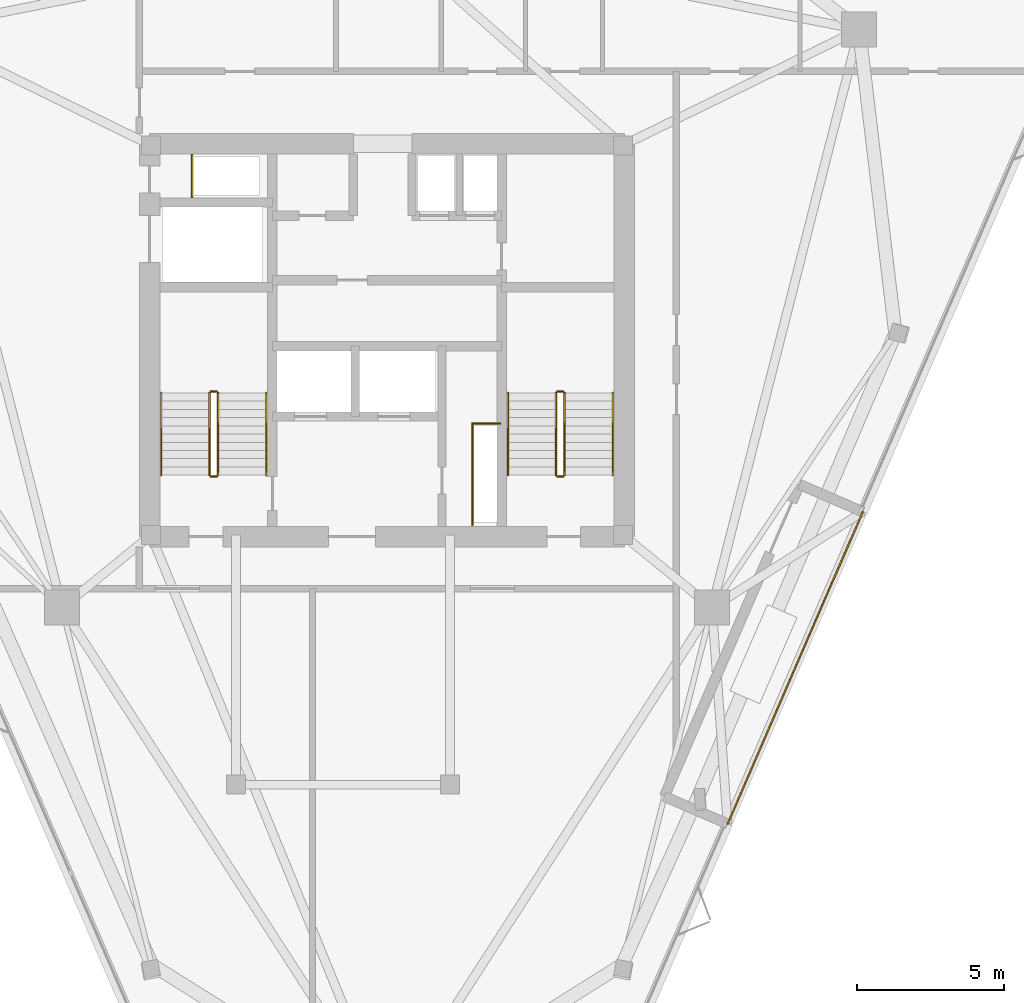
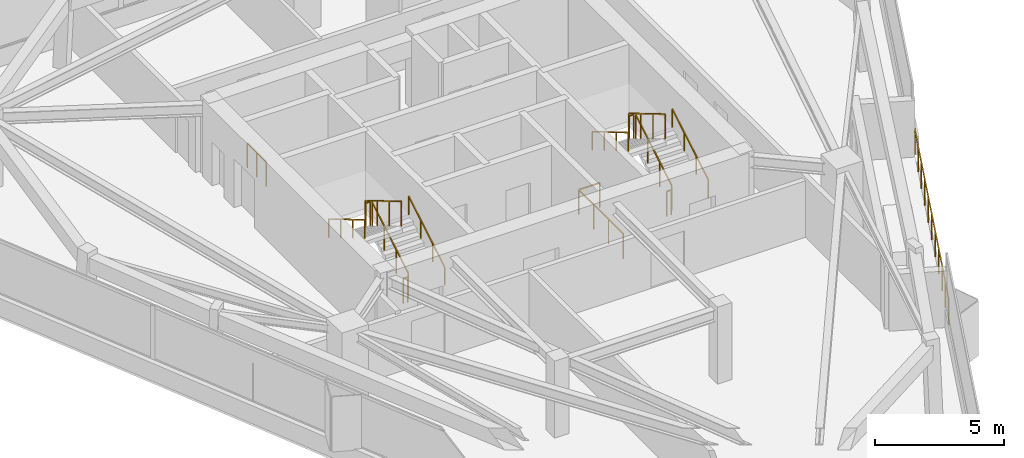
# One storey, part 10 of 10: 15 railings.
"""IFC4 building model written with IfcOpenShell, lengths in metres."""

from ifc_helpers import new_model, si_unit, direction, frame, origin, origin_2d, place, context, subcontext, project, spatial, rectangle, extrude, material, type_object, element, save


model = new_model("IFC4")

# Units and contexts
model_context = context("Model", 3, precision=1e-05, world=origin(), true_north=direction((0.0, 1.0)))
body_context = subcontext(model_context, "Body", "Model", "MODEL_VIEW")
ifc_project = project(units=[si_unit("LENGTHUNIT", "METRE"), si_unit("AREAUNIT", "SQUARE_METRE"), si_unit("VOLUMEUNIT", "CUBIC_METRE"), si_unit("PLANEANGLEUNIT", "RADIAN"), si_unit("MASSUNIT", "GRAM", prefix="KILO")], contexts=[model_context])

# Site, building, storey
site_placement = place(None, origin())
site = spatial("IfcSite", under=ifc_project, at=site_placement, CompositionType="ELEMENT")
building_placement = place(site_placement, origin())
building = spatial("IfcBuilding", under=site, at=building_placement, Name="Talyreon Biosciences Tower", CompositionType="ELEMENT")
storey_placement = place(building_placement, frame((0.0, 0.0, 253.5)))
storey = spatial("IfcBuildingStorey", under=building, at=storey_placement, Name="L67", CompositionType="ELEMENT", Elevation=253.5)

# Railings
ifc_material_1 = material(Name="Stainless-steel and laminated glass balustrade", Category="steel")
railing_type_1 = type_object("IfcRailingType", Name="SkyGardenGlassBalustrade_1250", PredefinedType="GUARDRAIL", material=ifc_material_1)
railing_1_placement = place(storey_placement, frame((82.22900390625, 62.148193359375, 0.0)))
element("IfcRailing", 1, at=railing_1_placement, inside=storey, type_object=railing_type_1, Name="L67 Terrace Edge Balustrade 03", PredefinedType="GUARDRAIL", context=body_context, shape_type="SweptSolid", body=[
    extrude(rectangle(XDim=0.048095703125, YDim=0.048095703125, at=origin_2d()), frame((0.0, 0.0, 1.22607421875), z_axis=(-0.397535967154, -0.917586592545, 0.0), x_axis=(0.917586592545, -0.397535967154, 0.0)), (0.0, 0.0, 1.0), 11.599853515625),
    extrude(rectangle(XDim=0.0419921875, YDim=0.0419921875, at=origin_2d()), origin(), (0.0, 0.0, 1.0), 1.201904296875),
    extrude(rectangle(XDim=0.0419921875, YDim=0.0419921875, at=origin_2d()), frame((-0.461181640625, -1.064453125, 0.0)), (0.0, 0.0, 1.0), 1.201904296875),
    extrude(rectangle(XDim=0.0419921875, YDim=0.0419921875, at=origin_2d()), frame((-0.92236328125, -2.128662109375, 0.0)), (0.0, 0.0, 1.0), 1.201904296875),
    extrude(rectangle(XDim=0.0419921875, YDim=0.0419921875, at=origin_2d()), frame((-1.38330078125, -3.193115234375, 0.0)), (0.0, 0.0, 1.0), 1.201904296875),
    extrude(rectangle(XDim=0.0419921875, YDim=0.0419921875, at=origin_2d()), frame((-1.844482421875, -4.257568359375, 0.0)), (0.0, 0.0, 1.0), 1.201904296875),
    extrude(rectangle(XDim=0.0419921875, YDim=0.0419921875, at=origin_2d()), frame((-2.3056640625, -5.32177734375, 0.0)), (0.0, 0.0, 1.0), 1.201904296875),
    extrude(rectangle(XDim=0.0419921875, YDim=0.0419921875, at=origin_2d()), frame((-2.766845703125, -6.38623046875, 0.0)), (0.0, 0.0, 1.0), 1.201904296875),
    extrude(rectangle(XDim=0.0419921875, YDim=0.0419921875, at=origin_2d()), frame((-3.22802734375, -7.45068359375, 0.0)), (0.0, 0.0, 1.0), 1.201904296875),
    extrude(rectangle(XDim=0.0419921875, YDim=0.0419921875, at=origin_2d()), frame((-3.68896484375, -8.51513671875, 0.0)), (0.0, 0.0, 1.0), 1.201904296875),
    extrude(rectangle(XDim=0.0419921875, YDim=0.0419921875, at=origin_2d()), frame((-4.150146484375, -9.579345703125, 0.0)), (0.0, 0.0, 1.0), 1.201904296875),
    extrude(rectangle(XDim=0.0419921875, YDim=0.0419921875, at=origin_2d()), frame((-4.611328125, -10.643798828125, 0.0)), (0.0, 0.0, 1.0), 1.201904296875),
])
ifc_material_2 = material(Name="Brushed stainless-steel tubular handrail", Category="steel")
railing_type_2 = type_object("IfcRailingType", Name="StairWallHandrail_900", PredefinedType="HANDRAIL", material=ifc_material_2)
railing_2_placement = place(storey_placement, frame((61.8798828125, 63.39990234375, 0.166015625)))
element("IfcRailing", 2, at=railing_2_placement, inside=storey, type_object=railing_type_2, Name="L67 ST-1 stair handrail 1", PredefinedType="HANDRAIL", context=body_context, shape_type="SweptSolid", body=[
    extrude(rectangle(XDim=0.048095703125, YDim=0.048095703125, at=origin_2d()), frame((0.0, 0.0, 0.8759765625), z_axis=(0.0, 0.860339051648, 0.50972219513), x_axis=(-1.0, 0.0, 0.0)), (0.0, 0.0, 1.0), 3.254638671875),
    extrude(rectangle(XDim=0.0419921875, YDim=0.0419921875, at=origin_2d()), origin(), (0.0, 0.0, 1.0), 0.851806640625),
    extrude(rectangle(XDim=0.0419921875, YDim=0.0419921875, at=origin_2d()), frame((0.0, 0.933349609375, 0.552978515625)), (0.0, 0.0, 1.0), 0.851806640625),
    extrude(rectangle(XDim=0.0419921875, YDim=0.0419921875, at=origin_2d()), frame((0.0, 1.86669921875, 1.10595703125)), (0.0, 0.0, 1.0), 0.851806640625),
    extrude(rectangle(XDim=0.0419921875, YDim=0.0419921875, at=origin_2d()), frame((0.0, 2.800048828125, 1.658935546875)), (0.0, 0.0, 1.0), 0.851806640625),
])
railing_3_placement = place(storey_placement, frame((58.300048828125, 66.199951171875, 1.990966796875)))
element("IfcRailing", 3, at=railing_3_placement, inside=storey, type_object=railing_type_2, Name="L67 ST-1 stair handrail 2", PredefinedType="HANDRAIL", context=body_context, shape_type="SweptSolid", body=[
    extrude(rectangle(XDim=0.048095703125, YDim=0.048095703125, at=origin_2d()), frame((0.0, 0.0, 0.8759765625), z_axis=(0.0, -0.860339051648, 0.50972219513), x_axis=(1.0, 0.0, 0.0)), (0.0, 0.0, 1.0), 3.254638671875),
    extrude(rectangle(XDim=0.0419921875, YDim=0.0419921875, at=origin_2d()), origin(), (0.0, 0.0, 1.0), 0.851806640625),
    extrude(rectangle(XDim=0.0419921875, YDim=0.0419921875, at=origin_2d()), frame((0.0, -0.933349609375, 0.552978515625)), (0.0, 0.0, 1.0), 0.851806640625),
    extrude(rectangle(XDim=0.0419921875, YDim=0.0419921875, at=origin_2d()), frame((0.0, -1.86669921875, 1.10595703125)), (0.0, 0.0, 1.0), 0.851806640625),
    extrude(rectangle(XDim=0.0419921875, YDim=0.0419921875, at=origin_2d()), frame((0.0, -2.800048828125, 1.658935546875)), (0.0, 0.0, 1.0), 0.851806640625),
])
railing_4_placement = place(storey_placement, frame((73.699951171875, 63.39990234375, 0.166015625)))
element("IfcRailing", 4, at=railing_4_placement, inside=storey, type_object=railing_type_2, Name="L67 ST-2 stair handrail 1", PredefinedType="HANDRAIL", context=body_context, shape_type="SweptSolid", body=[
    extrude(rectangle(XDim=0.048095703125, YDim=0.048095703125, at=origin_2d()), frame((0.0, 0.0, 0.8759765625), z_axis=(0.0, 0.860339051648, 0.50972219513), x_axis=(-1.0, 0.0, 0.0)), (0.0, 0.0, 1.0), 3.254638671875),
    extrude(rectangle(XDim=0.0419921875, YDim=0.0419921875, at=origin_2d()), origin(), (0.0, 0.0, 1.0), 0.851806640625),
    extrude(rectangle(XDim=0.0419921875, YDim=0.0419921875, at=origin_2d()), frame((0.0, 0.933349609375, 0.552978515625)), (0.0, 0.0, 1.0), 0.851806640625),
    extrude(rectangle(XDim=0.0419921875, YDim=0.0419921875, at=origin_2d()), frame((0.0, 1.86669921875, 1.10595703125)), (0.0, 0.0, 1.0), 0.851806640625),
    extrude(rectangle(XDim=0.0419921875, YDim=0.0419921875, at=origin_2d()), frame((0.0, 2.800048828125, 1.658935546875)), (0.0, 0.0, 1.0), 0.851806640625),
])
railing_5_placement = place(storey_placement, frame((70.1201171875, 66.199951171875, 1.990966796875)))
element("IfcRailing", 5, at=railing_5_placement, inside=storey, type_object=railing_type_2, Name="L67 ST-2 stair handrail 2", PredefinedType="HANDRAIL", context=body_context, shape_type="SweptSolid", body=[
    extrude(rectangle(XDim=0.048095703125, YDim=0.048095703125, at=origin_2d()), frame((0.0, 0.0, 0.8759765625), z_axis=(0.0, -0.860339051648, 0.50972219513), x_axis=(1.0, 0.0, 0.0)), (0.0, 0.0, 1.0), 3.254638671875),
    extrude(rectangle(XDim=0.0419921875, YDim=0.0419921875, at=origin_2d()), origin(), (0.0, 0.0, 1.0), 0.851806640625),
    extrude(rectangle(XDim=0.0419921875, YDim=0.0419921875, at=origin_2d()), frame((0.0, -0.933349609375, 0.552978515625)), (0.0, 0.0, 1.0), 0.851806640625),
    extrude(rectangle(XDim=0.0419921875, YDim=0.0419921875, at=origin_2d()), frame((0.0, -1.86669921875, 1.10595703125)), (0.0, 0.0, 1.0), 0.851806640625),
    extrude(rectangle(XDim=0.0419921875, YDim=0.0419921875, at=origin_2d()), frame((0.0, -2.800048828125, 1.658935546875)), (0.0, 0.0, 1.0), 0.851806640625),
])
ifc_material_3 = material(Name="Painted galvanised steel post-and-rail balustrade", Category="steel")
railing_type_3 = type_object("IfcRailingType", Name="TerraceStairGuard_1200", PredefinedType="GUARDRAIL", material=ifc_material_3)
railing_6_placement = place(storey_placement, frame((60.239990234375, 63.39990234375, 0.166015625)))
element("IfcRailing", 6, at=railing_6_placement, inside=storey, type_object=railing_type_3, Name="L67 ST-1 stair guard 1", PredefinedType="GUARDRAIL", context=body_context, shape_type="SweptSolid", body=[
    extrude(rectangle(XDim=0.048095703125, YDim=0.048095703125, at=origin_2d()), frame((0.0, 0.0, 1.17578125), z_axis=(0.0, 0.860339051648, 0.50972219513), x_axis=(-1.0, 0.0, 0.0)), (0.0, 0.0, 1.0), 3.254638671875),
    extrude(rectangle(XDim=0.0419921875, YDim=0.0419921875, at=origin_2d()), origin(), (0.0, 0.0, 1.0), 1.15185546875),
    extrude(rectangle(XDim=0.0419921875, YDim=0.0419921875, at=origin_2d()), frame((0.0, 0.933349609375, 0.552978515625)), (0.0, 0.0, 1.0), 1.15185546875),
    extrude(rectangle(XDim=0.0419921875, YDim=0.0419921875, at=origin_2d()), frame((0.0, 1.86669921875, 1.10595703125)), (0.0, 0.0, 1.0), 1.15185546875),
    extrude(rectangle(XDim=0.0419921875, YDim=0.0419921875, at=origin_2d()), frame((0.0, 2.800048828125, 1.658935546875)), (0.0, 0.0, 1.0), 1.15185546875),
])
railing_7_placement = place(storey_placement, frame((60.18994140625, 66.25, 1.824951171875)))
element("IfcRailing", 7, at=railing_7_placement, inside=storey, type_object=railing_type_3, Name="L67 ST-1 stair guard 2", PredefinedType="GUARDRAIL", context=body_context, shape_type="SweptSolid", body=[
    extrude(rectangle(XDim=0.048095703125, YDim=0.048095703125, at=origin_2d()), frame((0.0, 0.0, 1.17578125), z_axis=(-1.0, 0.0, 0.0), x_axis=(0.0, -1.0, 0.0)), (0.0, 0.0, 1.0), 0.199951171875),
    extrude(rectangle(XDim=0.0419921875, YDim=0.0419921875, at=origin_2d()), origin(), (0.0, 0.0, 1.0), 1.15185546875),
    extrude(rectangle(XDim=0.0419921875, YDim=0.0419921875, at=origin_2d()), frame((-0.199951171875, 0.0, 0.0)), (0.0, 0.0, 1.0), 1.15185546875),
])
railing_8_placement = place(storey_placement, frame((59.93994140625, 66.199951171875, 1.990966796875)))
element("IfcRailing", 8, at=railing_8_placement, inside=storey, type_object=railing_type_3, Name="L67 ST-1 stair guard 3", PredefinedType="GUARDRAIL", context=body_context, shape_type="SweptSolid", body=[
    extrude(rectangle(XDim=0.048095703125, YDim=0.048095703125, at=origin_2d()), frame((0.0, 0.0, 1.17578125), z_axis=(0.0, -0.860339051648, 0.50972219513), x_axis=(1.0, 0.0, 0.0)), (0.0, 0.0, 1.0), 3.254638671875),
    extrude(rectangle(XDim=0.0419921875, YDim=0.0419921875, at=origin_2d()), origin(), (0.0, 0.0, 1.0), 1.15185546875),
    extrude(rectangle(XDim=0.0419921875, YDim=0.0419921875, at=origin_2d()), frame((0.0, -0.933349609375, 0.552978515625)), (0.0, 0.0, 1.0), 1.15185546875),
    extrude(rectangle(XDim=0.0419921875, YDim=0.0419921875, at=origin_2d()), frame((0.0, -1.86669921875, 1.10595703125)), (0.0, 0.0, 1.0), 1.15185546875),
    extrude(rectangle(XDim=0.0419921875, YDim=0.0419921875, at=origin_2d()), frame((0.0, -2.800048828125, 1.658935546875)), (0.0, 0.0, 1.0), 1.15185546875),
])
railing_9_placement = place(storey_placement, frame((60.18994140625, 63.35009765625, 0.0)))
element("IfcRailing", 9, at=railing_9_placement, inside=storey, type_object=railing_type_3, Name="L67 ST-1 stair guard 4", PredefinedType="GUARDRAIL", context=body_context, shape_type="SweptSolid", body=[
    extrude(rectangle(XDim=0.048095703125, YDim=0.048095703125, at=origin_2d()), frame((0.0, 0.0, 1.17578125), z_axis=(-1.0, 0.0, 0.0), x_axis=(0.0, -1.0, 0.0)), (0.0, 0.0, 1.0), 0.199951171875),
    extrude(rectangle(XDim=0.0419921875, YDim=0.0419921875, at=origin_2d()), origin(), (0.0, 0.0, 1.0), 1.15185546875),
    extrude(rectangle(XDim=0.0419921875, YDim=0.0419921875, at=origin_2d()), frame((-0.199951171875, 0.0, 0.0)), (0.0, 0.0, 1.0), 1.15185546875),
])
railing_10_placement = place(storey_placement, frame((72.06005859375, 63.39990234375, 0.166015625)))
element("IfcRailing", 10, at=railing_10_placement, inside=storey, type_object=railing_type_3, Name="L67 ST-2 stair guard 1", PredefinedType="GUARDRAIL", context=body_context, shape_type="SweptSolid", body=[
    extrude(rectangle(XDim=0.048095703125, YDim=0.048095703125, at=origin_2d()), frame((0.0, 0.0, 1.17578125), z_axis=(0.0, 0.860339051648, 0.50972219513), x_axis=(-1.0, 0.0, 0.0)), (0.0, 0.0, 1.0), 3.254638671875),
    extrude(rectangle(XDim=0.0419921875, YDim=0.0419921875, at=origin_2d()), origin(), (0.0, 0.0, 1.0), 1.15185546875),
    extrude(rectangle(XDim=0.0419921875, YDim=0.0419921875, at=origin_2d()), frame((0.0, 0.933349609375, 0.552978515625)), (0.0, 0.0, 1.0), 1.15185546875),
    extrude(rectangle(XDim=0.0419921875, YDim=0.0419921875, at=origin_2d()), frame((0.0, 1.86669921875, 1.10595703125)), (0.0, 0.0, 1.0), 1.15185546875),
    extrude(rectangle(XDim=0.0419921875, YDim=0.0419921875, at=origin_2d()), frame((0.0, 2.800048828125, 1.658935546875)), (0.0, 0.0, 1.0), 1.15185546875),
])
railing_11_placement = place(storey_placement, frame((72.010009765625, 66.25, 1.824951171875)))
element("IfcRailing", 11, at=railing_11_placement, inside=storey, type_object=railing_type_3, Name="L67 ST-2 stair guard 2", PredefinedType="GUARDRAIL", context=body_context, shape_type="SweptSolid", body=[
    extrude(rectangle(XDim=0.048095703125, YDim=0.048095703125, at=origin_2d()), frame((0.0, 0.0, 1.17578125), z_axis=(-1.0, 0.0, 0.0), x_axis=(0.0, -1.0, 0.0)), (0.0, 0.0, 1.0), 0.199951171875),
    extrude(rectangle(XDim=0.0419921875, YDim=0.0419921875, at=origin_2d()), origin(), (0.0, 0.0, 1.0), 1.15185546875),
    extrude(rectangle(XDim=0.0419921875, YDim=0.0419921875, at=origin_2d()), frame((-0.199951171875, 0.0, 0.0)), (0.0, 0.0, 1.0), 1.15185546875),
])
railing_12_placement = place(storey_placement, frame((71.760009765625, 66.199951171875, 1.990966796875)))
element("IfcRailing", 12, at=railing_12_placement, inside=storey, type_object=railing_type_3, Name="L67 ST-2 stair guard 3", PredefinedType="GUARDRAIL", context=body_context, shape_type="SweptSolid", body=[
    extrude(rectangle(XDim=0.048095703125, YDim=0.048095703125, at=origin_2d()), frame((0.0, 0.0, 1.17578125), z_axis=(0.0, -0.860339051648, 0.50972219513), x_axis=(1.0, 0.0, 0.0)), (0.0, 0.0, 1.0), 3.254638671875),
    extrude(rectangle(XDim=0.0419921875, YDim=0.0419921875, at=origin_2d()), origin(), (0.0, 0.0, 1.0), 1.15185546875),
    extrude(rectangle(XDim=0.0419921875, YDim=0.0419921875, at=origin_2d()), frame((0.0, -0.933349609375, 0.552978515625)), (0.0, 0.0, 1.0), 1.15185546875),
    extrude(rectangle(XDim=0.0419921875, YDim=0.0419921875, at=origin_2d()), frame((0.0, -1.86669921875, 1.10595703125)), (0.0, 0.0, 1.0), 1.15185546875),
    extrude(rectangle(XDim=0.0419921875, YDim=0.0419921875, at=origin_2d()), frame((0.0, -2.800048828125, 1.658935546875)), (0.0, 0.0, 1.0), 1.15185546875),
])
railing_13_placement = place(storey_placement, frame((72.010009765625, 63.35009765625, 0.0)))
element("IfcRailing", 13, at=railing_13_placement, inside=storey, type_object=railing_type_3, Name="L67 ST-2 stair guard 4", PredefinedType="GUARDRAIL", context=body_context, shape_type="SweptSolid", body=[
    extrude(rectangle(XDim=0.048095703125, YDim=0.048095703125, at=origin_2d()), frame((0.0, 0.0, 1.17578125), z_axis=(-1.0, 0.0, 0.0), x_axis=(0.0, -1.0, 0.0)), (0.0, 0.0, 1.0), 0.199951171875),
    extrude(rectangle(XDim=0.0419921875, YDim=0.0419921875, at=origin_2d()), origin(), (0.0, 0.0, 1.0), 1.15185546875),
    extrude(rectangle(XDim=0.0419921875, YDim=0.0419921875, at=origin_2d()), frame((-0.199951171875, 0.0, 0.0)), (0.0, 0.0, 1.0), 1.15185546875),
])
railing_14_placement = place(storey_placement, frame((59.35009765625, 72.8798828125, 0.0)))
element("IfcRailing", 14, at=railing_14_placement, inside=storey, type_object=railing_type_3, Name="L67 Exhaust Riser Maintenance Guardrail", PredefinedType="GUARDRAIL", context=body_context, shape_type="SweptSolid", body=[
    extrude(rectangle(XDim=0.048095703125, YDim=0.048095703125, at=origin_2d()), frame((0.0, 0.0, 1.17578125), z_axis=(0.0, 1.0, 0.0), x_axis=(-1.0, 0.0, 0.0)), (0.0, 0.0, 1.0), 1.4501953125),
    extrude(rectangle(XDim=0.0419921875, YDim=0.0419921875, at=origin_2d()), origin(), (0.0, 0.0, 1.0), 1.15185546875),
    extrude(rectangle(XDim=0.0419921875, YDim=0.0419921875, at=origin_2d()), frame((0.0, 0.72509765625, 0.0)), (0.0, 0.0, 1.0), 1.15185546875),
    extrude(rectangle(XDim=0.0419921875, YDim=0.0419921875, at=origin_2d()), frame((0.0, 1.4501953125, 0.0)), (0.0, 0.0, 1.0), 1.15185546875),
])
railing_15_placement = place(storey_placement, frame((68.909912109375, 61.699951171875, 0.0)))
element("IfcRailing", 15, at=railing_15_placement, inside=storey, type_object=railing_type_3, Name="L67 Electrical Riser Maintenance Guardrail", PredefinedType="GUARDRAIL", context=body_context, shape_type="SweptSolid", body=[
    extrude(rectangle(XDim=0.048095703125, YDim=0.048095703125, at=origin_2d()), frame((0.0, 0.0, 1.17578125), z_axis=(0.0, 1.0, 0.0), x_axis=(-1.0, 0.0, 0.0)), (0.0, 0.0, 1.0), 3.4599609375),
    extrude(rectangle(XDim=0.048095703125, YDim=0.048095703125, at=origin_2d()), frame((0.0, 3.4599609375, 1.17578125), z_axis=(1.0, 0.0, 0.0), x_axis=(0.0, 1.0, 0.0)), (0.0, 0.0, 1.0), 0.9501953125),
    extrude(rectangle(XDim=0.0419921875, YDim=0.0419921875, at=origin_2d()), origin(), (0.0, 0.0, 1.0), 1.15185546875),
    extrude(rectangle(XDim=0.0419921875, YDim=0.0419921875, at=origin_2d()), frame((0.0, 1.1533203125, 0.0)), (0.0, 0.0, 1.0), 1.15185546875),
    extrude(rectangle(XDim=0.0419921875, YDim=0.0419921875, at=origin_2d()), frame((0.0, 2.306640625, 0.0)), (0.0, 0.0, 1.0), 1.15185546875),
    extrude(rectangle(XDim=0.0419921875, YDim=0.0419921875, at=origin_2d()), frame((0.0, 3.4599609375, 0.0)), (0.0, 0.0, 1.0), 1.15185546875),
    extrude(rectangle(XDim=0.0419921875, YDim=0.0419921875, at=origin_2d()), frame((0.9501953125, 3.4599609375, 0.0)), (0.0, 0.0, 1.0), 1.15185546875),
])

save(model, "model.ifc")
